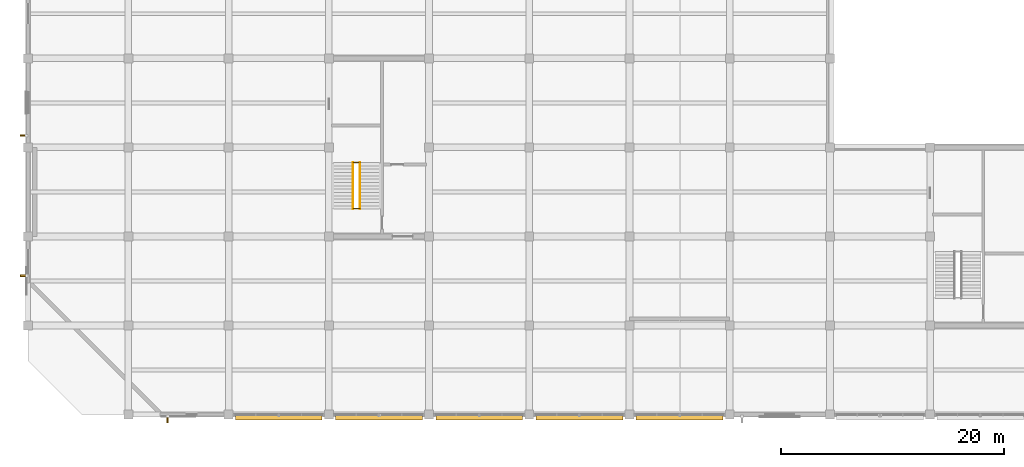
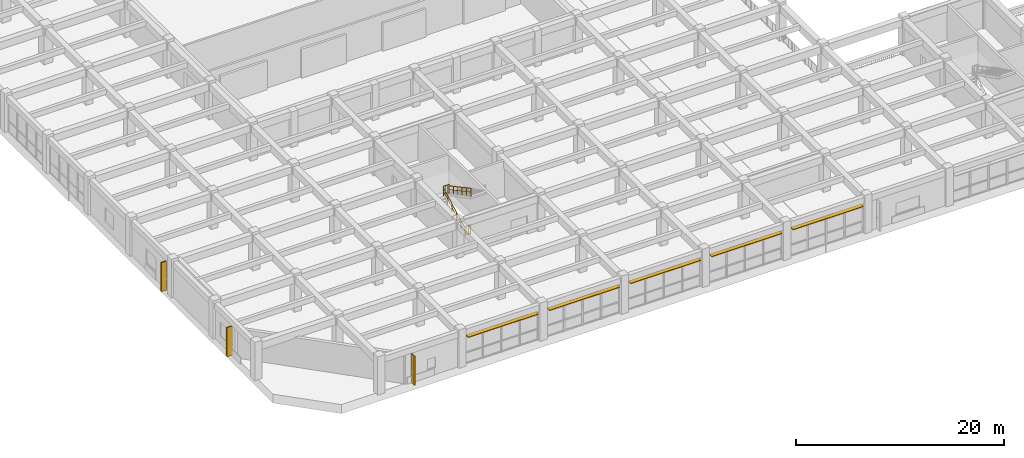
# One storey, part 42 of 50: 8 shading devices, 4 railings.
"""IFC4 building model written with IfcOpenShell, lengths in metres."""

from ifc_helpers import new_model, si_unit, direction, frame, frame_2d, origin, origin_2d, place, context, subcontext, project, spatial, rectangle, circle, extrude, material, layer, layer_set, type_object, element, save


model = new_model("IFC4")

# Units and contexts
model_context = context("Model", 3, precision=1e-05, world=origin(), true_north=direction((0.0, 1.0)))
body_context = subcontext(model_context, "Body", "Model", "MODEL_VIEW")
ifc_project = project(units=[si_unit("LENGTHUNIT", "METRE"), si_unit("AREAUNIT", "SQUARE_METRE"), si_unit("VOLUMEUNIT", "CUBIC_METRE"), si_unit("PLANEANGLEUNIT", "RADIAN"), si_unit("MASSUNIT", "GRAM", prefix="KILO")], contexts=[model_context])

# Site, building, storey
site_placement = place(None, origin())
site = spatial("IfcSite", under=ifc_project, at=site_placement, CompositionType="ELEMENT")
building_placement = place(site_placement, origin())
building = spatial("IfcBuilding", under=site, at=building_placement, Name="Zaverband Oceanarium and Marine Research Institute", CompositionType="ELEMENT")
storey_placement = place(building_placement, frame((0.0, 0.0, 4.5)))
storey = spatial("IfcBuildingStorey", under=building, at=storey_placement, Name="L01", CompositionType="ELEMENT", Elevation=4.5)

# Railings
ifc_material_1 = material(Name="Steel S355", Category="steel")
ifc_layer_1 = layer(ifc_material_1, 0.06005859375, Name="Steel S355")
ifc_layer_set_1 = layer_set([ifc_layer_1], Name="Steel S355")
railing_type_1 = type_object("IfcRailingType", Name="GRD-1100", PredefinedType="BALUSTRADE", material=ifc_layer_set_1)
for number, where, name in (
    (1, (29.18994140625, 22.6298828125, 2.25), "1100 mm steel post-and-baluster safety guard GRD-1100"),
    (2, (29.18994140625, 18.530029296875, 0.0), "1100 mm steel post-and-baluster safety guard GRD-1100"),
):
    element("IfcRailing", number, at=place(storey_placement, frame(where)), inside=storey, type_object=railing_type_1, Name=name, PredefinedType="BALUSTRADE", context=body_context, shape_type="SweptSolid", body=[
        extrude(circle(Radius=0.02392578125, at=origin_2d()), frame((0.0, 0.0, 1.076171875), z_axis=(1.0, 0.0, 0.0), x_axis=(0.0, 1.0, 0.0)), (0.0, 0.0, 1.0), 0.6201171875),
        extrude(circle(Radius=0.009033203125, at=origin_2d()), frame((0.0, 0.0, 0.10009765625), z_axis=(1.0, 0.0, 0.0), x_axis=(0.0, 1.0, 0.0)), (0.0, 0.0, 1.0), 0.6201171875),
        extrude(circle(Radius=0.009033203125, at=origin_2d()), frame((0.206787109375, 0.0, 0.10009765625)), (0.0, 0.0, 1.0), 0.951904296875),
        extrude(circle(Radius=0.009033203125, at=origin_2d()), frame((0.413330078125, 0.0, 0.10009765625)), (0.0, 0.0, 1.0), 0.951904296875),
        extrude(circle(Radius=0.02099609375, at=origin_2d()), origin(), (0.0, 0.0, 1.0), 1.052001953125),
        extrude(circle(Radius=0.02099609375, at=origin_2d()), frame((0.6201171875, 0.0, 0.0)), (0.0, 0.0, 1.0), 1.052001953125),
    ])
ifc_layer_2 = layer(ifc_material_1, 0.050048828125, Name="Steel S355")
ifc_layer_set_2 = layer_set([ifc_layer_2], Name="Steel S355")
railing_type_2 = type_object("IfcRailingType", Name="HR-920", PredefinedType="HANDRAIL", material=ifc_layer_set_2)
railing_1_placement = place(storey_placement, frame((29.18994140625, 18.449951171875, 0.0)))
element("IfcRailing", 3, at=railing_1_placement, inside=storey, type_object=railing_type_2, Name="920 mm continuous tubular stair and ramp handrail HR-920", PredefinedType="HANDRAIL", context=body_context, shape_type="SweptSolid", body=[
    extrude(circle(Radius=0.02392578125, at=origin_2d()), frame((0.0, 0.0, 0.89599609375), z_axis=(0.0, 0.881477684796, 0.472225678258), x_axis=(-1.0, 0.0, 0.0)), (0.0, 0.0, 1.0), 4.7646484375),
    extrude(circle(Radius=0.009033203125, at=origin_2d()), frame((0.0, 0.0, 0.4599609375), z_axis=(0.0, 0.881477684796, 0.472225678258), x_axis=(-1.0, 0.0, 0.0)), (0.0, 0.0, 1.0), 4.7646484375),
    extrude(circle(Radius=0.02099609375, at=origin_2d()), origin(), (0.0, 0.0, 1.0), 0.871826171875),
    extrude(circle(Radius=0.02099609375, at=origin_2d()), frame((0.0, 0.840087890625, 0.449951171875)), (0.0, 0.0, 1.0), 0.871826171875),
    extrude(circle(Radius=0.02099609375, at=origin_2d()), frame((0.0, 1.679931640625, 0.89990234375)), (0.0, 0.0, 1.0), 0.871826171875),
    extrude(circle(Radius=0.02099609375, at=origin_2d()), frame((0.0, 2.52001953125, 1.35009765625)), (0.0, 0.0, 1.0), 0.871826171875),
    extrude(circle(Radius=0.02099609375, at=origin_2d()), frame((0.0, 3.35986328125, 1.800048828125)), (0.0, 0.0, 1.0), 0.871826171875),
    extrude(circle(Radius=0.02099609375, at=origin_2d()), frame((0.0, 4.199951171875, 2.25)), (0.0, 0.0, 1.0), 0.871826171875),
])
railing_2_placement = place(storey_placement, frame((29.81005859375, 22.64990234375, 2.25)))
element("IfcRailing", 4, at=railing_2_placement, inside=storey, type_object=railing_type_2, Name="920 mm continuous tubular stair and ramp handrail HR-920", PredefinedType="HANDRAIL", context=body_context, shape_type="SweptSolid", body=[
    extrude(circle(Radius=0.02392578125, at=origin_2d()), frame((0.0, 0.0, 0.89599609375), z_axis=(0.0, -0.881477684796, 0.472225678258), x_axis=(1.0, 0.0, 0.0)), (0.0, 0.0, 1.0), 4.7646484375),
    extrude(circle(Radius=0.009033203125, at=origin_2d()), frame((0.0, 0.0, 0.4599609375), z_axis=(0.0, -0.881477684796, 0.472225678258), x_axis=(1.0, 0.0, 0.0)), (0.0, 0.0, 1.0), 4.7646484375),
    extrude(circle(Radius=0.02099609375, at=origin_2d()), origin(), (0.0, 0.0, 1.0), 0.871826171875),
    extrude(circle(Radius=0.02099609375, at=origin_2d()), frame((0.0, -0.840087890625, 0.449951171875)), (0.0, 0.0, 1.0), 0.871826171875),
    extrude(circle(Radius=0.02099609375, at=origin_2d()), frame((0.0, -1.679931640625, 0.89990234375)), (0.0, 0.0, 1.0), 0.871826171875),
    extrude(circle(Radius=0.02099609375, at=origin_2d()), frame((0.0, -2.52001953125, 1.35009765625)), (0.0, 0.0, 1.0), 0.871826171875),
    extrude(circle(Radius=0.02099609375, at=origin_2d()), frame((0.0, -3.35986328125, 1.800048828125)), (0.0, 0.0, 1.0), 0.871826171875),
    extrude(circle(Radius=0.02099609375, at=origin_2d()), frame((0.0, -4.199951171875, 2.25)), (0.0, 0.0, 1.0), 0.871826171875),
])

# Shading devices
ifc_material_2 = material(Name="Concrete C40/50 precast brise-soleil", Category="concrete")
ifc_layer_3 = layer(ifc_material_2, 0.139892578125, Name="Concrete C40/50 precast brise-soleil")
ifc_layer_set_3 = layer_set([ifc_layer_3], Name="Concrete C40/50 precast brise-soleil")
shading_device_type_1 = type_object("IfcShadingDeviceType", Name="SHD-FIN-600", PredefinedType="JALOUSIE", material=ifc_layer_set_3)
shading_device_1_placement = place(storey_placement, frame((12.52001953125, -0.125, 0.0), z_axis=(0.0, 0.0, 1.0), x_axis=(0.0, -1.0, 0.0)))
element("IfcShadingDevice", 5, at=shading_device_1_placement, inside=storey, type_object=shading_device_type_1, Name="600 mm vertical precast brise-soleil fin SHD-FIN-600", PredefinedType="JALOUSIE", context=body_context, shape_type="SweptSolid", body=[
    extrude(rectangle(XDim=0.60009765625, YDim=0.139892578125, at=frame_2d((0.300048828125, 0.0))), origin(), (0.0, 0.0, 1.0), 3.409912109375),
])
shading_device_2_placement = place(storey_placement, frame((-0.112548828125, 12.469970703125, 0.0), z_axis=(0.0, 0.0, 1.0), x_axis=(-1.0, 0.0, 0.0)))
element("IfcShadingDevice", 6, at=shading_device_2_placement, inside=storey, type_object=shading_device_type_1, Name="600 mm vertical precast brise-soleil fin SHD-FIN-600", PredefinedType="JALOUSIE", context=body_context, shape_type="SweptSolid", body=[
    extrude(rectangle(XDim=0.599853515625, YDim=0.139892578125, at=frame_2d((0.2998046875, 0.0))), origin(), (0.0, 0.0, 1.0), 3.409912109375),
])
shading_device_3_placement = place(storey_placement, frame((-0.125, 25.054931640625, 0.0), z_axis=(0.0, 0.0, 1.0), x_axis=(-1.0, 0.0, 0.0)))
element("IfcShadingDevice", 7, at=shading_device_3_placement, inside=storey, type_object=shading_device_type_1, Name="600 mm vertical precast brise-soleil fin SHD-FIN-600", PredefinedType="JALOUSIE", context=body_context, shape_type="SweptSolid", body=[
    extrude(rectangle(XDim=0.60009765625, YDim=0.139892578125, at=frame_2d((0.300048828125, 0.0))), origin(), (0.0, 0.0, 1.0), 3.409912109375),
])
ifc_material_3 = material(Name="Anodized bronze marine-grade aluminium", Category="aluminium")
ifc_layer_4 = layer(ifc_material_3, 0.080078125, Name="Anodized bronze marine-grade aluminium")
ifc_layer_set_4 = layer_set([ifc_layer_4], Name="Anodized bronze marine-grade aluminium")
shading_device_type_2 = type_object("IfcShadingDeviceType", Name="SHD-LVR-450", PredefinedType="USERDEFINED", material=ifc_layer_set_4)
for number, where, z_axis, x_axis, name in (
    (8, (18.60498046875, -0.239990234375, 3.280029296875), (0.0, 0.0, 1.0), (1.0, 0.0, 0.0), "450 mm horizontal solar shading louvre SHD-LVR-450"),
    (9, (27.60498046875, -0.239990234375, 3.280029296875), (0.0, 0.0, 1.0), (1.0, 0.0, 0.0), "450 mm horizontal solar shading louvre SHD-LVR-450"),
    (10, (36.60498046875, -0.239990234375, 3.280029296875), (0.0, 0.0, 1.0), (1.0, 0.0, 0.0), "450 mm horizontal solar shading louvre SHD-LVR-450"),
    (11, (45.60498046875, -0.239990234375, 3.280029296875), (0.0, 0.0, 1.0), (1.0, 0.0, 0.0), "450 mm horizontal solar shading louvre SHD-LVR-450"),
    (12, (54.60498046875, -0.239990234375, 3.280029296875), (0.0, 0.0, 1.0), (1.0, 0.0, 0.0), "450 mm horizontal solar shading louvre SHD-LVR-450"),
):
    element("IfcShadingDevice", number, at=place(storey_placement, frame(where, z_axis=z_axis, x_axis=x_axis)), inside=storey, type_object=shading_device_type_2, Name=name, ObjectType="LOUVRE", PredefinedType="USERDEFINED", context=body_context, shape_type="SweptSolid", body=[
        extrude(rectangle(XDim=7.7900390625, YDim=0.449951171875, at=frame_2d((3.89501953125, 0.0))), origin(), (0.0, 0.0, 1.0), 0.080078125),
    ])

save(model, "model.ifc")
